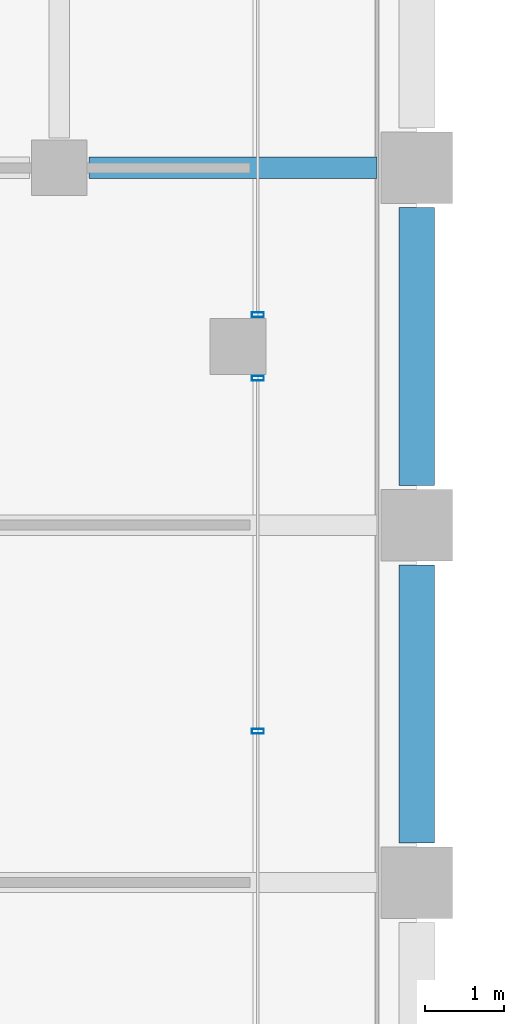
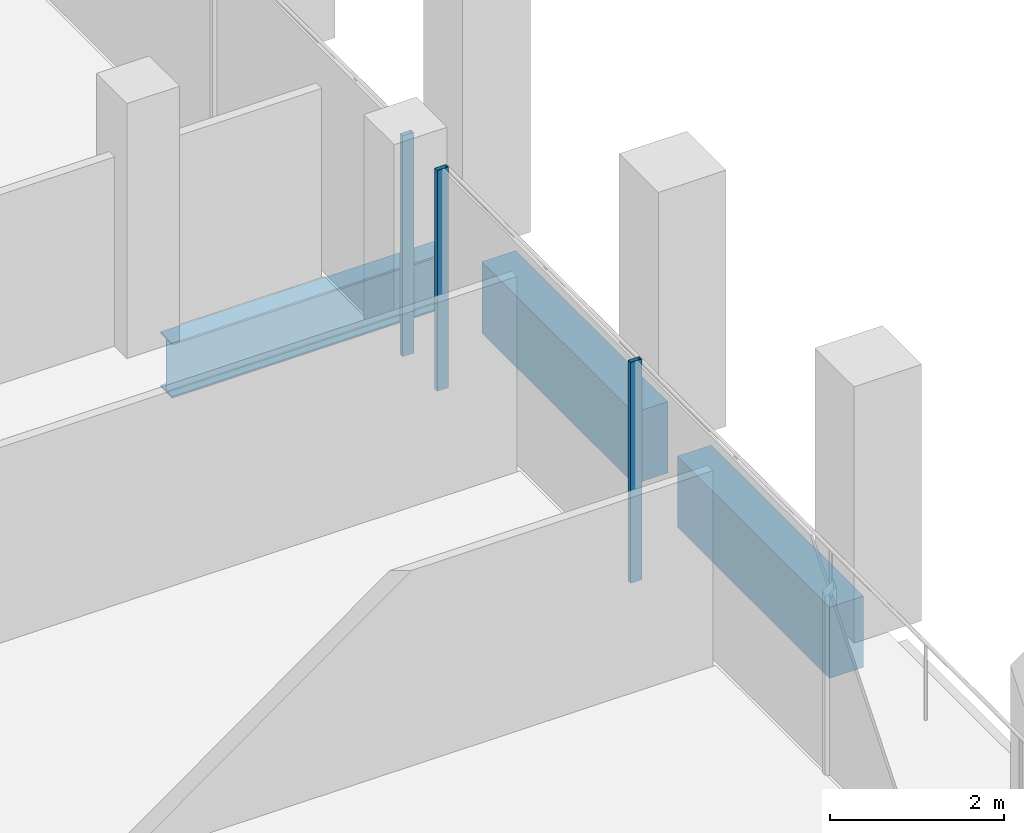
# One storey, part 19 of 44: 3 beams, 3 members, 2 elements without a shape of their own.
"""IFC4 building model written with IfcOpenShell, lengths in metres."""

from ifc_helpers import new_model, si_unit, direction, frame, origin, origin_2d, place, context, subcontext, project, spatial, rectangle, hollow_rectangle, i_section, extrude, material, material_profile, profile_set, type_object, element, aggregate, save


model = new_model("IFC4")

# Units and contexts
model_context = context("Model", 3, precision=1e-05, world=origin(), true_north=direction((0.0, 1.0)))
body_context = subcontext(model_context, "Body", "Model", "MODEL_VIEW")
ifc_project = project(units=[si_unit("LENGTHUNIT", "METRE"), si_unit("AREAUNIT", "SQUARE_METRE"), si_unit("VOLUMEUNIT", "CUBIC_METRE"), si_unit("PLANEANGLEUNIT", "RADIAN"), si_unit("MASSUNIT", "GRAM", prefix="KILO")], contexts=[model_context])

# Site, building, storey
site_placement = place(None, origin())
site = spatial("IfcSite", under=ifc_project, at=site_placement, CompositionType="ELEMENT")
building_placement = place(site_placement, origin())
building = spatial("IfcBuilding", under=site, at=building_placement, Name="Altepetl Exchange Towers", CompositionType="ELEMENT")
storey_placement = place(building_placement, frame((0.0, 0.0, 143.800048828125)))
storey = spatial("IfcBuildingStorey", under=building, at=storey_placement, Name="L35", CompositionType="ELEMENT", Elevation=143.800048828125)

# Beam
ifc_material_1 = material(Name="Steel S355", Category="steel")
ifc_material_profile_1 = material_profile(ifc_material_1, i_section(OverallWidth=0.26806640625, OverallDepth=0.77392578125, WebThickness=0.015380859375, FlangeThickness=0.025390625, at=origin_2d()), Name="W30X132")
ifc_profile_set_1 = profile_set([ifc_material_profile_1], Name="Steel S355")
beam_type_1 = type_object("IfcBeamType", Name="Girder W30X132", PredefinedType="BEAM", material=ifc_profile_set_1)
beam_placement = place(storey_placement, frame((67.875, 58.5, -0.537109375), z_axis=(1.0, 0.0, 0.0), x_axis=(0.0, 1.0, 0.0)))
element("IfcBeam", 1, at=beam_placement, inside=storey, type_object=beam_type_1, Name="gd:A:L35:002", PredefinedType="BEAM", context=body_context, shape_type="SweptSolid", body=[
    extrude(i_section(OverallWidth=0.26806640625, OverallDepth=0.77392578125, WebThickness=0.015380859375, FlangeThickness=0.025390625, at=origin_2d()), origin(), (0.0, 0.0, 1.0), 3.625),
])

# Curtain wall, members
ifc_material_2 = material(Name="Aluminium 6063-T6 glazing", Category="aluminium")
curtain_wall_type = type_object("IfcCurtainWallType", Name="Loggia glazing system", PredefinedType="NOTDEFINED", material=ifc_material_2)
curtain_wall_1_placement = place(storey_placement, origin())
curtain_wall_1 = element("IfcCurtainWall", 2, at=curtain_wall_1_placement, inside=storey, type_object=curtain_wall_type, Name="CW1 run", PredefinedType="NOTDEFINED")
ifc_material_3 = material(Name="Aluminium 6063-T6", Category="aluminium")
ifc_material_profile_2 = material_profile(ifc_material_3, hollow_rectangle(XDim=0.06005859375, YDim=0.14990234375, WallThickness=0.0029296875, at=origin_2d()), Name="Mullion 60x150 aluminium")
ifc_profile_set_2 = profile_set([ifc_material_profile_2], Name="Aluminium 6063-T6")
member_type = type_object("IfcMemberType", Name="Mullion 60x150 aluminium", PredefinedType="MULLION", material=ifc_profile_set_2)
member_1_placement = place(storey_placement, frame((70.0, 51.404052734375, 0.0), z_axis=(0.0, 0.0, 1.0), x_axis=(0.0, 1.0, 0.0)))
member_1 = element("IfcMember", 3, at=member_1_placement, type_object=member_type, Name="MU1 mullion", PredefinedType="MULLION", context=body_context, shape_type="SweptSolid", body=[
    extrude(hollow_rectangle(XDim=0.06005859375, YDim=0.14990234375, WallThickness=0.0029296875, at=origin_2d()), origin(), (0.0, 0.0, 1.0), 3.099853515625),
])
member_2_placement = place(storey_placement, frame((70.0, 55.85009765625, 0.0), z_axis=(0.0, 0.0, 1.0), x_axis=(0.0, 1.0, 0.0)))
member_2 = element("IfcMember", 4, at=member_2_placement, type_object=member_type, Name="MU1 mullion", PredefinedType="MULLION", context=body_context, shape_type="SweptSolid", body=[
    extrude(hollow_rectangle(XDim=0.06005859375, YDim=0.14990234375, WallThickness=0.0029296875, at=origin_2d()), origin(), (0.0, 0.0, 1.0), 3.099853515625),
])
aggregate(curtain_wall_1, [member_1, member_2])

# Curtain wall, member
curtain_wall_2_placement = place(storey_placement, origin())
curtain_wall_2 = element("IfcCurtainWall", 5, at=curtain_wall_2_placement, inside=storey, type_object=curtain_wall_type, Name="CW1 run", PredefinedType="NOTDEFINED")
member_3_placement = place(storey_placement, frame((70.0, 56.64990234375, 0.0), z_axis=(0.0, 0.0, 1.0), x_axis=(0.0, 1.0, 0.0)))
member_3 = element("IfcMember", 6, at=member_3_placement, type_object=member_type, Name="MU1 mullion", PredefinedType="MULLION", context=body_context, shape_type="SweptSolid", body=[
    extrude(hollow_rectangle(XDim=0.06005859375, YDim=0.14990234375, WallThickness=0.0029296875, at=origin_2d()), origin(), (0.0, 0.0, 1.0), 3.099853515625),
])
aggregate(curtain_wall_2, [member_3])

# Beams
ifc_material_4 = material(Name="Concrete C50/60 precast with cantera amarilla facing", Category="concrete")
ifc_material_profile_3 = material_profile(ifc_material_4, rectangle(XDim=0.449951171875, YDim=1.0, at=origin_2d()), Name="450 x 1000")
ifc_profile_set_3 = profile_set([ifc_material_profile_3], Name="Concrete C50/60 precast with cantera amarilla facing")
beam_type_2 = type_object("IfcBeamType", Name="Spandrel beam 450x1000 cantera amarilla", PredefinedType="SPANDREL", material=ifc_profile_set_3)
for number, where, z_axis, x_axis, name in (
    (7, (72.0, 50.0, -0.650146484375), (0.0, 1.0, 0.0), (-1.0, 0.0, 0.0), "sp:A:L35:016"),
    (8, (72.0, 54.5, -0.650146484375), (0.0, 1.0, 0.0), (-1.0, 0.0, 0.0), "sp:A:L35:017"),
):
    element("IfcBeam", number, at=place(storey_placement, frame(where, z_axis=z_axis, x_axis=x_axis)), inside=storey, type_object=beam_type_2, Name=name, PredefinedType="SPANDREL", context=body_context, shape_type="SweptSolid", body=[
        extrude(rectangle(XDim=0.449951171875, YDim=1.0, at=origin_2d()), origin(), (0.0, 0.0, 1.0), 3.5),
    ])

save(model, "model.ifc")
